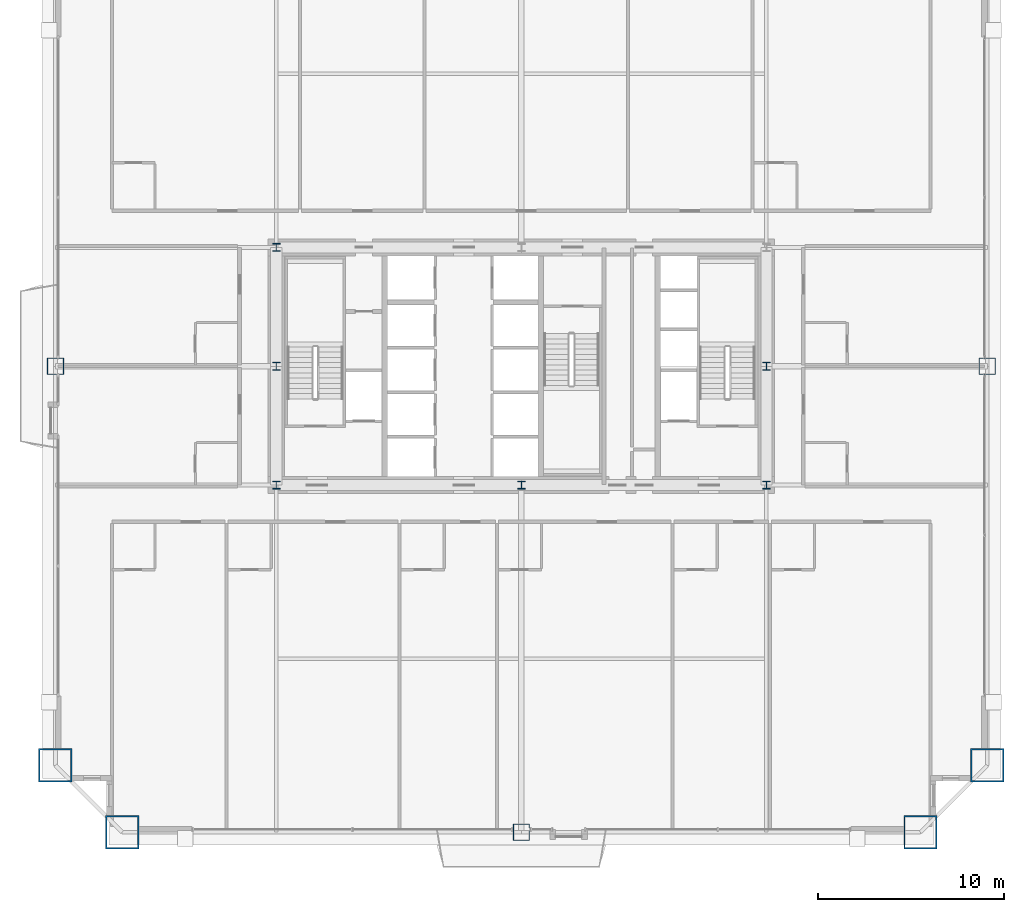
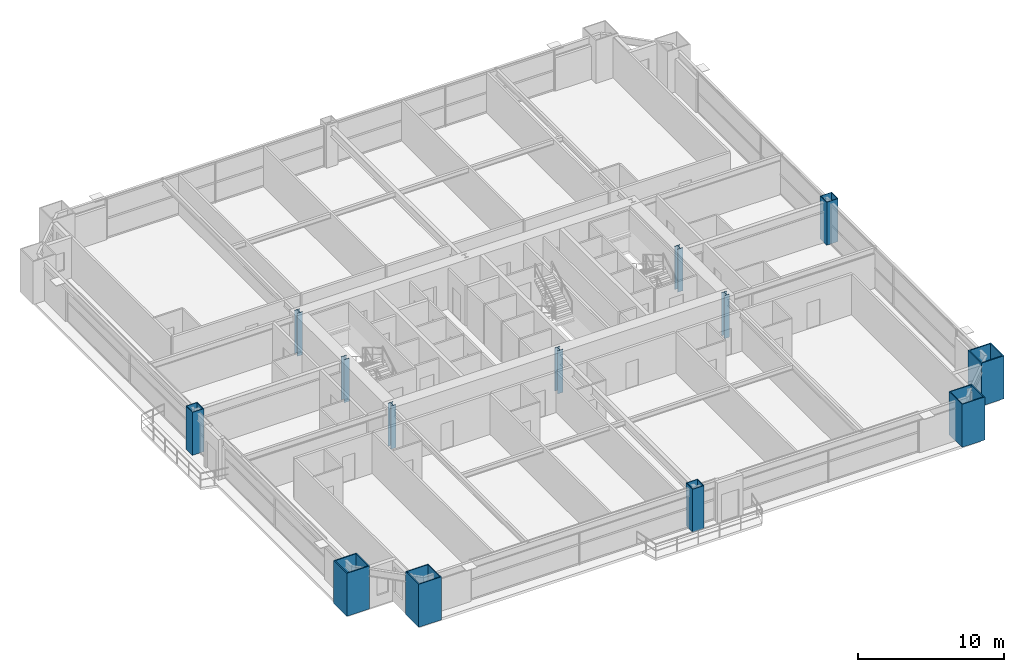
# One storey, part 1 of 46: 13 columns.
"""IFC4 building model written with IfcOpenShell, lengths in metres."""

from ifc_helpers import new_model, si_unit, direction, frame, origin, origin_2d, place, context, subcontext, project, spatial, hollow_rectangle, i_section, extrude, source, transform, mapped, material, material_profile, profile_set, type_object, element, save


model = new_model("IFC4")

# Units and contexts
model_context = context("Model", 3, precision=1e-05, world=origin(), true_north=direction((0.0, 1.0)))
body_context = subcontext(model_context, "Body", "Model", "MODEL_VIEW")
ifc_project = project(units=[si_unit("LENGTHUNIT", "METRE"), si_unit("AREAUNIT", "SQUARE_METRE"), si_unit("VOLUMEUNIT", "CUBIC_METRE"), si_unit("PLANEANGLEUNIT", "RADIAN"), si_unit("MASSUNIT", "GRAM", prefix="KILO"), si_unit("THERMODYNAMICTEMPERATUREUNIT", "KELVIN"), si_unit("POWERUNIT", "WATT")], contexts=[model_context])

# Site, building, storey
site_placement = place(None, origin())
site = spatial("IfcSite", under=ifc_project, at=site_placement, CompositionType="ELEMENT")
building_placement = place(site_placement, origin())
building = spatial("IfcBuilding", under=site, at=building_placement, Name="Yuzanri Waterfront Tower", CompositionType="ELEMENT")
storey_placement = place(building_placement, frame((0.0, 0.0, 56.800048828125)))
storey = spatial("IfcBuildingStorey", under=building, at=storey_placement, Name="L14", CompositionType="ELEMENT", Elevation=56.800048828125)

# Columns
ifc_material_1 = material(Name="Steel Q355B", Category="steel")
ifc_material_profile_1 = material_profile(ifc_material_1, i_section(OverallWidth=0.406982421875, OverallDepth=0.427978515625, WebThickness=0.02001953125, FlangeThickness=0.034912109375, at=origin_2d()), Name="HW 428x407x20x35")
ifc_profile_set_1 = profile_set([ifc_material_profile_1], Name="Steel Q355B")
column_type_1 = type_object("IfcColumnType", Name="Core Post Q355B HW 428x407x20x35", PredefinedType="COLUMN", material=ifc_profile_set_1)
shared_shape_1 = source(origin(), body_context, "Body", "SweptSolid", [
    extrude(i_section(OverallWidth=0.406982421875, OverallDepth=0.427978515625, WebThickness=0.02001953125, FlangeThickness=0.034912109375, at=origin_2d()), origin(), (0.0, 0.0, 1.0), 3.599853515625),
])
for number, where, z_axis, x_axis, name in (
    (1, (23.800048828125, 19.39990234375, 0.0), (0.0, 0.0, 1.0), (1.0, 0.0, 0.0), "L14 Core Boundary Column CP1"),
    (2, (37.0, 19.39990234375, 0.0), (0.0, 0.0, 1.0), (1.0, 0.0, 0.0), "L14 Core Boundary Column CP2"),
    (3, (50.199951171875, 19.39990234375, 0.0), (0.0, 0.0, 1.0), (1.0, 0.0, 0.0), "L14 Core Boundary Column CP3"),
    (4, (23.800048828125, 25.800048828125, 0.0), (0.0, 0.0, 1.0), (1.0, 0.0, 0.0), "L14 Core Boundary Column CP4"),
    (5, (50.199951171875, 25.800048828125, 0.0), (0.0, 0.0, 1.0), (1.0, 0.0, 0.0), "L14 Core Boundary Column CP5"),
    (6, (23.800048828125, 32.199951171875, 0.0), (0.0, 0.0, 1.0), (1.0, 0.0, 0.0), "L14 Core Boundary Column CP6"),
):
    element("IfcColumn", number, at=place(storey_placement, frame(where, z_axis=z_axis, x_axis=x_axis)), inside=storey, type_object=column_type_1, Name=name, PredefinedType="COLUMN", context=body_context, shape_type="MappedRepresentation", body=[
        mapped(shared_shape_1, transform((0.0, 0.0, 0.0), scale=1.0)),
    ])
ifc_material_2 = material(Name="Steel Q420GJC", Category="steel")
ifc_material_profile_2 = material_profile(ifc_material_2, hollow_rectangle(XDim=1.800048828125, YDim=1.800048828125, WallThickness=0.080078125, at=origin_2d()), Name="RHS 1800x1800x80")
ifc_profile_set_2 = profile_set([ifc_material_profile_2], Name="Steel Q420GJC")
column_type_2 = type_object("IfcColumnType", Name="Mega Column Q420GJC RHS 1800x1800x80", PredefinedType="COLUMN", material=ifc_profile_set_2)
shared_shape_2 = source(origin(), body_context, "Body", "SweptSolid", [
    extrude(hollow_rectangle(XDim=1.800048828125, YDim=1.800048828125, WallThickness=0.080078125, at=origin_2d()), origin(), (0.0, 0.0, 1.0), 3.599853515625),
])
for number, where, z_axis, x_axis, name in (
    (7, (15.5, 0.699951171875, 0.0), (0.0, 0.0, 1.0), (1.0, 0.0, 0.0), "L14 Perimeter Mega Column S1"),
    (8, (58.5, 0.699951171875, 0.0), (0.0, 0.0, 1.0), (1.0, 0.0, 0.0), "L14 Perimeter Mega Column S3"),
    (9, (11.89990234375, 4.300048828125, 0.0), (0.0, 0.0, 1.0), (1.0, 0.0, 0.0), "L14 Perimeter Mega Column W1"),
    (10, (62.10009765625, 4.300048828125, 0.0), (0.0, 0.0, 1.0), (1.0, 0.0, 0.0), "L14 Perimeter Mega Column E1"),
):
    element("IfcColumn", number, at=place(storey_placement, frame(where, z_axis=z_axis, x_axis=x_axis)), inside=storey, type_object=column_type_2, Name=name, PredefinedType="COLUMN", context=body_context, shape_type="MappedRepresentation", body=[
        mapped(shared_shape_2, transform((0.0, 0.0, 0.0), scale=1.0)),
    ])
ifc_material_3 = material(Name="Steel Q390GJC", Category="steel")
ifc_material_profile_3 = material_profile(ifc_material_3, hollow_rectangle(XDim=0.89990234375, YDim=0.89990234375, WallThickness=0.0419921875, at=origin_2d()), Name="RHS 900x900x42")
ifc_profile_set_3 = profile_set([ifc_material_profile_3], Name="Steel Q390GJC")
column_type_3 = type_object("IfcColumnType", Name="Frame Column Q390GJC RHS 900x900x42", PredefinedType="COLUMN", material=ifc_profile_set_3)
shared_shape_3 = source(origin(), body_context, "Body", "SweptSolid", [
    extrude(hollow_rectangle(XDim=0.89990234375, YDim=0.89990234375, WallThickness=0.0419921875, at=origin_2d()), origin(), (0.0, 0.0, 1.0), 3.599853515625),
])
for number, where, z_axis, x_axis, name in (
    (11, (37.0, 0.699951171875, 0.0), (0.0, 0.0, 1.0), (1.0, 0.0, 0.0), "L14 Perimeter Frame Column S2"),
    (12, (11.89990234375, 25.800048828125, 0.0), (0.0, 0.0, 1.0), (1.0, 0.0, 0.0), "L14 Perimeter Frame Column W2"),
    (13, (62.10009765625, 25.800048828125, 0.0), (0.0, 0.0, 1.0), (1.0, 0.0, 0.0), "L14 Perimeter Frame Column E2"),
):
    element("IfcColumn", number, at=place(storey_placement, frame(where, z_axis=z_axis, x_axis=x_axis)), inside=storey, type_object=column_type_3, Name=name, PredefinedType="COLUMN", context=body_context, shape_type="MappedRepresentation", body=[
        mapped(shared_shape_3, transform((0.0, 0.0, 0.0), scale=1.0)),
    ])

save(model, "model.ifc")
